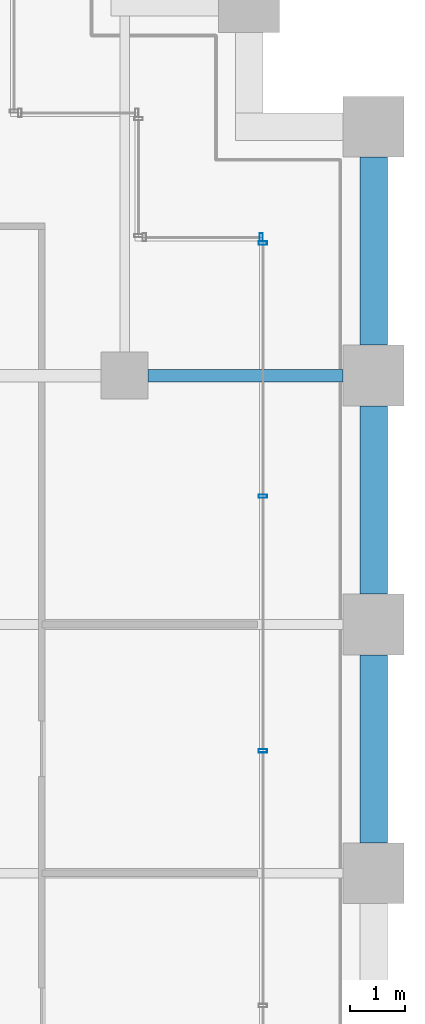
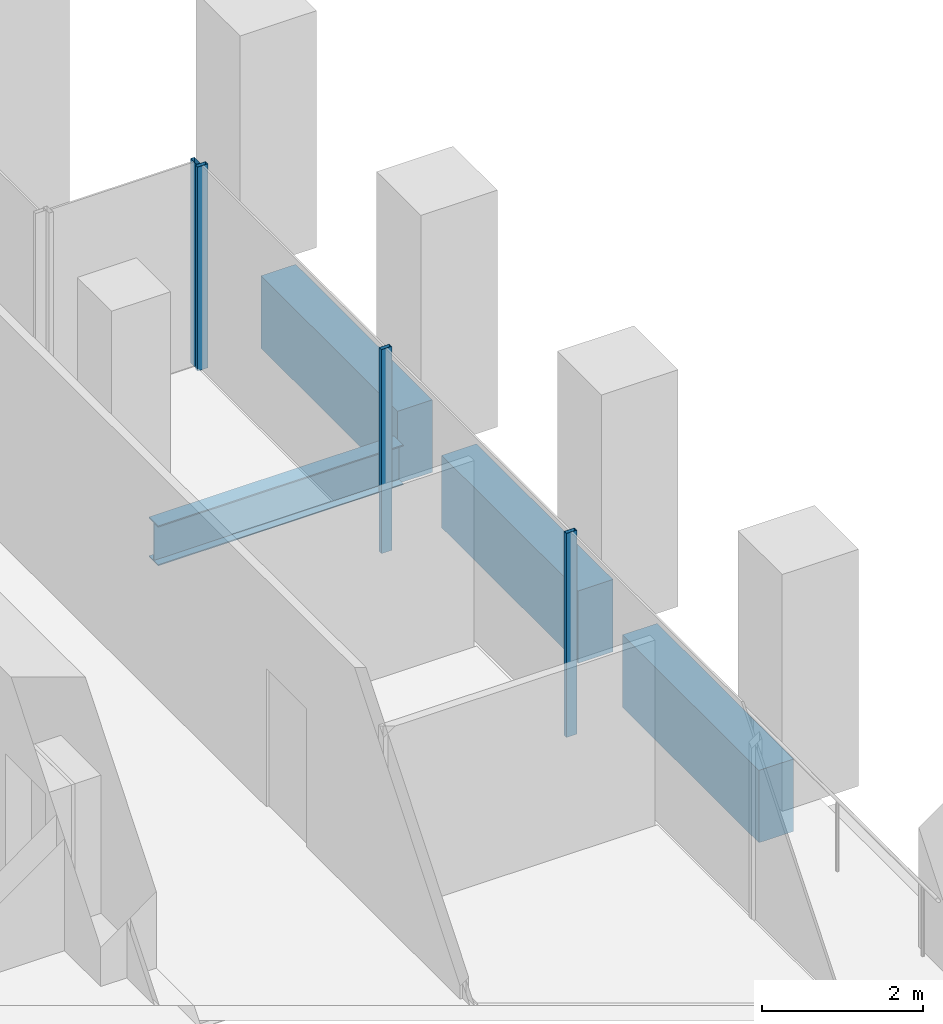
# One storey, part 47 of 56: 4 beams, 4 members, 2 elements without a shape of their own.
"""IFC4 building model written with IfcOpenShell, lengths in metres."""

from ifc_helpers import new_model, si_unit, direction, frame, origin, origin_2d, place, context, subcontext, project, spatial, rectangle, hollow_rectangle, i_section, extrude, material, material_profile, profile_set, type_object, element, aggregate, save


model = new_model("IFC4")

# Units and contexts
model_context = context("Model", 3, precision=1e-05, world=origin(), true_north=direction((0.0, 1.0)))
body_context = subcontext(model_context, "Body", "Model", "MODEL_VIEW")
ifc_project = project(units=[si_unit("LENGTHUNIT", "METRE"), si_unit("AREAUNIT", "SQUARE_METRE"), si_unit("VOLUMEUNIT", "CUBIC_METRE"), si_unit("PLANEANGLEUNIT", "RADIAN"), si_unit("MASSUNIT", "GRAM", prefix="KILO")], contexts=[model_context])

# Site, building, storey
site_placement = place(None, origin())
site = spatial("IfcSite", under=ifc_project, at=site_placement, CompositionType="ELEMENT")
building_placement = place(site_placement, origin())
building = spatial("IfcBuilding", under=site, at=building_placement, Name="Altepetl Exchange Towers", CompositionType="ELEMENT")
storey_placement = place(building_placement, frame((0.0, 0.0, 79.800048828125)))
storey = spatial("IfcBuildingStorey", under=building, at=storey_placement, Name="L19", CompositionType="ELEMENT", Elevation=79.800048828125)

# Beam
ifc_material_1 = material(Name="Steel S355", Category="steel")
ifc_material_profile_1 = material_profile(ifc_material_1, i_section(OverallWidth=0.22802734375, OverallDepth=0.60791015625, WebThickness=0.01123046875, FlangeThickness=0.017333984375, at=origin_2d()), Name="W24X76")
ifc_profile_set_1 = profile_set([ifc_material_profile_1], Name="Steel S355")
beam_type_1 = type_object("IfcBeamType", Name="Girder W24X76", PredefinedType="BEAM", material=ifc_profile_set_1)
beam_1_placement = place(storey_placement, frame((121.925048828125, 49.5, -0.4541015625), z_axis=(1.0, 0.0, 0.0), x_axis=(0.0, 1.0, 0.0)))
element("IfcBeam", 1, at=beam_1_placement, inside=storey, type_object=beam_type_1, Name="gd:B:L19:001", PredefinedType="BEAM", context=body_context, shape_type="SweptSolid", body=[
    extrude(i_section(OverallWidth=0.22802734375, OverallDepth=0.60791015625, WebThickness=0.01123046875, FlangeThickness=0.017333984375, at=origin_2d()), origin(), (0.0, 0.0, 1.0), 3.52490234375),
])

# Curtain wall, members
ifc_material_2 = material(Name="Aluminium 6063-T6 glazing", Category="aluminium")
curtain_wall_type = type_object("IfcCurtainWallType", Name="Loggia glazing system", PredefinedType="NOTDEFINED", material=ifc_material_2)
curtain_wall_1_placement = place(storey_placement, origin())
curtain_wall_1 = element("IfcCurtainWall", 2, at=curtain_wall_1_placement, inside=storey, type_object=curtain_wall_type, Name="CW1 run", PredefinedType="NOTDEFINED")
ifc_material_3 = material(Name="Aluminium 6063-T6", Category="aluminium")
ifc_material_profile_2 = material_profile(ifc_material_3, hollow_rectangle(XDim=0.06005859375, YDim=0.14990234375, WallThickness=0.0029296875, at=origin_2d()), Name="Mullion 60x150 aluminium")
ifc_profile_set_2 = profile_set([ifc_material_profile_2], Name="Aluminium 6063-T6")
member_type = type_object("IfcMemberType", Name="Mullion 60x150 aluminium", PredefinedType="MULLION", material=ifc_profile_set_2)
member_1_placement = place(storey_placement, frame((124.0, 42.71240234375, 0.0), z_axis=(0.0, 0.0, 1.0), x_axis=(0.0, 1.0, 0.0)))
member_1 = element("IfcMember", 3, at=member_1_placement, type_object=member_type, Name="MU1 mullion", PredefinedType="MULLION", context=body_context, shape_type="SweptSolid", body=[
    extrude(hollow_rectangle(XDim=0.06005859375, YDim=0.14990234375, WallThickness=0.0029296875, at=origin_2d()), origin(), (0.0, 0.0, 1.0), 3.099853515625),
])
member_2_placement = place(storey_placement, frame((124.0, 47.31884765625, 0.0), z_axis=(0.0, 0.0, 1.0), x_axis=(0.0, 1.0, 0.0)))
member_2 = element("IfcMember", 4, at=member_2_placement, type_object=member_type, Name="MU1 mullion", PredefinedType="MULLION", context=body_context, shape_type="SweptSolid", body=[
    extrude(hollow_rectangle(XDim=0.06005859375, YDim=0.14990234375, WallThickness=0.0029296875, at=origin_2d()), origin(), (0.0, 0.0, 1.0), 3.099853515625),
])
member_3_placement = place(storey_placement, frame((124.0, 51.89501953125, 0.0), z_axis=(0.0, 0.0, 1.0), x_axis=(0.0, 1.0, 0.0)))
member_3 = element("IfcMember", 5, at=member_3_placement, type_object=member_type, Name="MU1 mullion", PredefinedType="MULLION", context=body_context, shape_type="SweptSolid", body=[
    extrude(hollow_rectangle(XDim=0.06005859375, YDim=0.14990234375, WallThickness=0.0029296875, at=origin_2d()), origin(), (0.0, 0.0, 1.0), 3.099853515625),
])
aggregate(curtain_wall_1, [member_1, member_2, member_3])

# Curtain wall, member
curtain_wall_2_placement = place(storey_placement, origin())
curtain_wall_2 = element("IfcCurtainWall", 6, at=curtain_wall_2_placement, inside=storey, type_object=curtain_wall_type, Name="CW1 run", PredefinedType="NOTDEFINED")
member_4_placement = place(storey_placement, frame((123.969970703125, 52.0, 0.0), z_axis=(0.0, 0.0, 1.0), x_axis=(-1.0, 0.0, 0.0)))
member_4 = element("IfcMember", 7, at=member_4_placement, type_object=member_type, Name="MU1 mullion", PredefinedType="MULLION", context=body_context, shape_type="SweptSolid", body=[
    extrude(hollow_rectangle(XDim=0.06005859375, YDim=0.14990234375, WallThickness=0.0029296875, at=origin_2d()), origin(), (0.0, 0.0, 1.0), 3.099853515625),
])
aggregate(curtain_wall_2, [member_4])

# Beams
ifc_material_4 = material(Name="Concrete C50/60 precast with cantera amarilla facing", Category="concrete")
ifc_material_profile_3 = material_profile(ifc_material_4, rectangle(XDim=0.5, YDim=1.10009765625, at=origin_2d()), Name="500 x 1100")
ifc_profile_set_3 = profile_set([ifc_material_profile_3], Name="Concrete C50/60 precast with cantera amarilla facing")
beam_type_2 = type_object("IfcBeamType", Name="Spandrel beam 500x1100 cantera amarilla", PredefinedType="SPANDREL", material=ifc_profile_set_3)
beam_2_placement = place(storey_placement, frame((126.0, 50.050048828125, -0.699951171875), z_axis=(0.0, 1.0, 0.0), x_axis=(-1.0, 0.0, 0.0)))
element("IfcBeam", 8, at=beam_2_placement, inside=storey, type_object=beam_type_2, Name="sp:B:L19:013", PredefinedType="SPANDREL", context=body_context, shape_type="SweptSolid", body=[
    extrude(rectangle(XDim=0.5, YDim=1.10009765625, at=origin_2d()), origin(), (0.0, 0.0, 1.0), 3.39990234375),
])
ifc_material_5 = material(Name="Concrete C50/60 precast with cantera blanca facing", Category="concrete")
ifc_material_profile_4 = material_profile(ifc_material_5, rectangle(XDim=0.5, YDim=1.10009765625, at=origin_2d()), Name="500 x 1100")
ifc_profile_set_4 = profile_set([ifc_material_profile_4], Name="Concrete C50/60 precast with cantera blanca facing")
beam_type_3 = type_object("IfcBeamType", Name="Spandrel beam 500x1100 cantera blanca", PredefinedType="SPANDREL", material=ifc_profile_set_4)
for number, where, z_axis, x_axis, name in (
    (9, (126.0, 41.050048828125, -0.699951171875), (0.0, 1.0, 0.0), (-1.0, 0.0, 0.0), "sp:B:L19:011"),
    (10, (126.0, 45.550048828125, -0.699951171875), (0.0, 1.0, 0.0), (-1.0, 0.0, 0.0), "sp:B:L19:012"),
):
    element("IfcBeam", number, at=place(storey_placement, frame(where, z_axis=z_axis, x_axis=x_axis)), inside=storey, type_object=beam_type_3, Name=name, PredefinedType="SPANDREL", context=body_context, shape_type="SweptSolid", body=[
        extrude(rectangle(XDim=0.5, YDim=1.10009765625, at=origin_2d()), origin(), (0.0, 0.0, 1.0), 3.39990234375),
    ])

save(model, "model.ifc")
